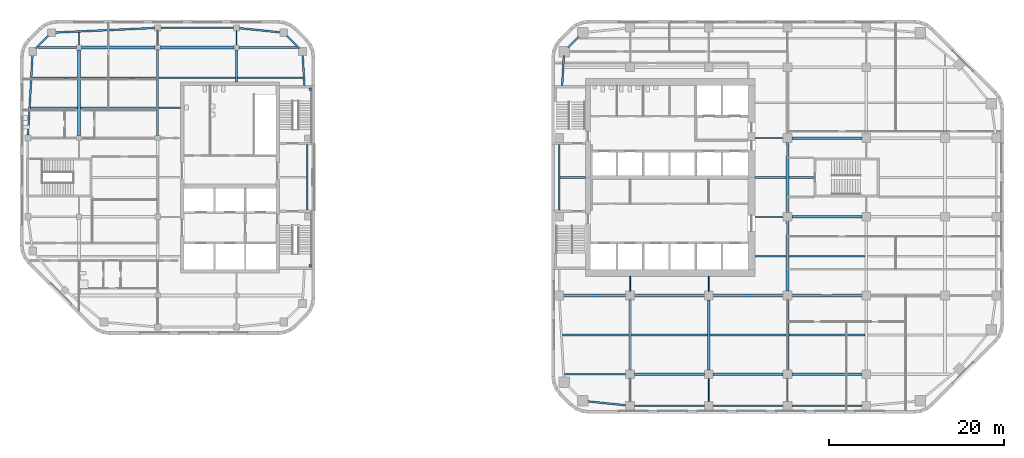
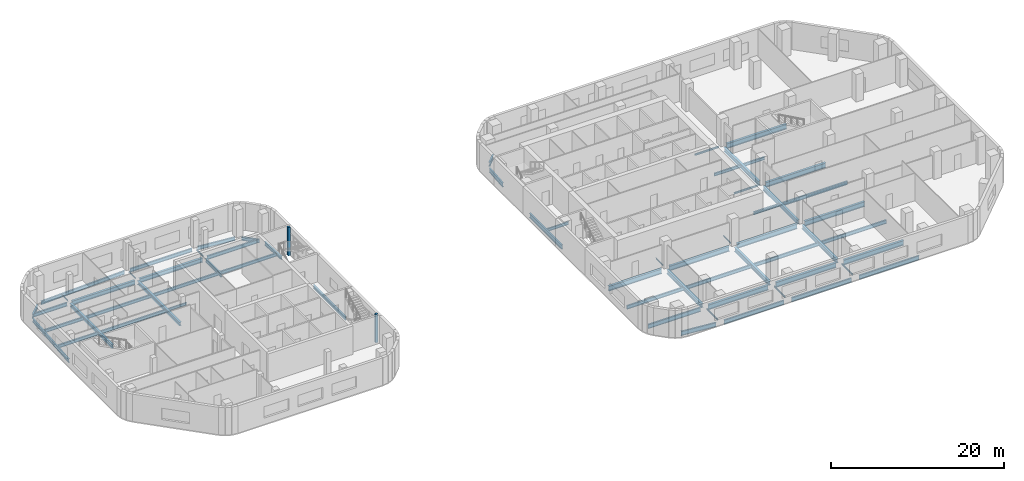
# One storey, part 2 of 14: 63 beams, 2 members.
"""IFC4 building model written with IfcOpenShell, lengths in metres."""

from ifc_helpers import new_model, si_unit, direction, frame, origin, origin_2d, place, context, subcontext, project, spatial, rectangle, i_section, extrude, material, material_profile, profile_set, type_object, element, save


model = new_model("IFC4")

# Units and contexts
model_context = context("Model", 3, precision=1e-05, world=origin(), true_north=direction((0.0, 1.0)))
body_context = subcontext(model_context, "Body", "Model", "MODEL_VIEW")
ifc_project = project(units=[si_unit("LENGTHUNIT", "METRE"), si_unit("AREAUNIT", "SQUARE_METRE"), si_unit("VOLUMEUNIT", "CUBIC_METRE"), si_unit("PLANEANGLEUNIT", "RADIAN"), si_unit("MASSUNIT", "GRAM", prefix="KILO")], contexts=[model_context])

# Site, building, storey
site_placement = place(None, origin())
site = spatial("IfcSite", under=ifc_project, at=site_placement, CompositionType="ELEMENT")
building_placement = place(site_placement, origin())
building = spatial("IfcBuilding", under=site, at=building_placement, Name="Cinnabar Reach Civic Tower", CompositionType="ELEMENT")
storey_placement = place(building_placement, frame((0.0, 0.0, 116.0)))
storey = spatial("IfcBuildingStorey", under=building, at=storey_placement, Name="L27", CompositionType="ELEMENT", Elevation=116.0)

# Beams
ifc_material_1 = material(Name="Steel Q355B", Category="steel")
ifc_material_profile_1 = material_profile(ifc_material_1, i_section(OverallWidth=0.3, OverallDepth=0.488, WebThickness=0.011, FlangeThickness=0.018, FilletRadius=0.016, at=origin_2d()), Name="HM488x300x11x18")
ifc_profile_set_1 = profile_set([ifc_material_profile_1], Name="Steel Q355B")
beam_type_1 = type_object("IfcBeamType", Name="HM488x300x11x18 beam R 120", PredefinedType="BEAM", material=ifc_profile_set_1)
for number, where, z_axis, x_axis, name in (
    (1, (-54.0, 36.302, -0.394), (0.0, 1.0, 0.0), (-1.0, 0.0, 0.0), "Girder T2 L27 4"),
    (2, (-45.0, 36.302, -0.394), (0.0, 1.0, 0.0), (-1.0, 0.0, 0.0), "Girder T2 L27 9"),
):
    element("IfcBeam", number, at=place(storey_placement, frame(where, z_axis=z_axis, x_axis=x_axis)), inside=storey, type_object=beam_type_1, Name=name, PredefinedType="BEAM", context=body_context, shape_type="SweptSolid", body=[
        extrude(i_section(OverallWidth=0.3, OverallDepth=0.488, WebThickness=0.011, FlangeThickness=0.018, FilletRadius=0.016, at=origin_2d()), origin(), (0.0, 0.0, 1.0), 9.746),
    ])
ifc_material_profile_2 = material_profile(ifc_material_1, i_section(OverallWidth=0.3, OverallDepth=0.588, WebThickness=0.012, FlangeThickness=0.02, FilletRadius=0.016, at=origin_2d()), Name="HM588x300x12x20")
ifc_profile_set_2 = profile_set([ifc_material_profile_2], Name="Steel Q355B")
beam_type_2 = type_object("IfcBeamType", Name="HM588x300x12x20 beam R 120", PredefinedType="BEAM", material=ifc_profile_set_2)
for number, where, z_axis, x_axis, name in (
    (3, (-53.698, 46.35, -0.444), (1.0, 0.0, 0.0), (0.0, 1.0, 0.0), "Girder T2 L27 11"),
    (4, (-44.698, 46.35, -0.444), (1.0, 0.0, 0.0), (0.0, 1.0, 0.0), "Girder T2 L27 12"),
):
    element("IfcBeam", number, at=place(storey_placement, frame(where, z_axis=z_axis, x_axis=x_axis)), inside=storey, type_object=beam_type_2, Name=name, PredefinedType="BEAM", context=body_context, shape_type="SweptSolid", body=[
        extrude(i_section(OverallWidth=0.3, OverallDepth=0.588, WebThickness=0.012, FlangeThickness=0.02, FilletRadius=0.016, at=origin_2d()), origin(), (0.0, 0.0, 1.0), 8.396),
    ])
ifc_material_profile_3 = material_profile(ifc_material_1, i_section(OverallWidth=0.302, OverallDepth=0.594, WebThickness=0.014, FlangeThickness=0.023, FilletRadius=0.016, at=origin_2d()), Name="HM594x302x14x23")
ifc_profile_set_3 = profile_set([ifc_material_profile_3], Name="Steel Q355B")
beam_type_3 = type_object("IfcBeamType", Name="HM594x302x14x23 beam R 180", PredefinedType="BEAM", material=ifc_profile_set_3)
for number, where, z_axis, x_axis, name in (
    (5, (9.0, 9.502, -0.447), (0.0, 1.0, 0.0), (-1.0, 0.0, 0.0), "Girder T1 L27 2"),
    (6, (18.0, 9.502, -0.447), (0.0, 1.0, 0.0), (-1.0, 0.0, 0.0), "Girder T1 L27 6"),
    (7, (27.0, 9.502, -0.447), (0.0, 1.0, 0.0), (-1.0, 0.0, 0.0), "Girder T1 L27 10"),
    (8, (27.0, 18.502, -0.447), (0.0, 1.0, 0.0), (-1.0, 0.0, 0.0), "Girder T1 L27 11"),
    (9, (27.0, 27.502, -0.447), (0.0, 1.0, 0.0), (-1.0, 0.0, 0.0), "Girder T1 L27 12"),
):
    element("IfcBeam", number, at=place(storey_placement, frame(where, z_axis=z_axis, x_axis=x_axis)), inside=storey, type_object=beam_type_3, Name=name, PredefinedType="BEAM", context=body_context, shape_type="SweptSolid", body=[
        extrude(i_section(OverallWidth=0.302, OverallDepth=0.594, WebThickness=0.014, FlangeThickness=0.023, FilletRadius=0.016, at=origin_2d()), origin(), (0.0, 0.0, 1.0), 7.996),
    ])
ifc_material_profile_4 = material_profile(ifc_material_1, i_section(OverallWidth=0.099, OverallDepth=0.198, WebThickness=0.0045, FlangeThickness=0.007, FilletRadius=0.013, at=origin_2d()), Name="HN200x100x5.5x8")
ifc_profile_set_4 = profile_set([ifc_material_profile_4], Name="Steel Q355B")
beam_type_4 = type_object("IfcBeamType", Name="HN200x100x5.5x8 beam R 120", PredefinedType="BEAM", material=ifc_profile_set_4)
beam_1_placement = place(storey_placement, frame((-54.0, 46.652, -0.249), z_axis=(0.0, 1.0, 0.0), x_axis=(-1.0, 0.0, 0.0)))
element("IfcBeam", 10, at=beam_1_placement, inside=storey, type_object=beam_type_4, Name="Girder T2 L27 5", PredefinedType="BEAM", context=body_context, shape_type="SweptSolid", body=[
    extrude(i_section(OverallWidth=0.099, OverallDepth=0.198, WebThickness=0.0045, FlangeThickness=0.007, FilletRadius=0.013, at=origin_2d()), origin(), (0.0, 0.0, 1.0), 1.4361),
])
for number, where, z_axis, x_axis, name in (
    (11, (-45.0, 46.652, -0.249), (0.0, 1.0, 0.0), (-1.0, 0.0, 0.0), "Girder T2 L27 10"),
    (12, (-36.0, 46.652, -0.249), (0.0, 1.0, 0.0), (-1.0, 0.0, 0.0), "Girder T2 L27 14"),
):
    element("IfcBeam", number, at=place(storey_placement, frame(where, z_axis=z_axis, x_axis=x_axis)), inside=storey, type_object=beam_type_4, Name=name, PredefinedType="BEAM", context=body_context, shape_type="SweptSolid", body=[
        extrude(i_section(OverallWidth=0.099, OverallDepth=0.198, WebThickness=0.0045, FlangeThickness=0.007, FilletRadius=0.013, at=origin_2d()), origin(), (0.0, 0.0, 1.0), 1.596),
    ])
ifc_material_profile_5 = material_profile(ifc_material_1, i_section(OverallWidth=0.099, OverallDepth=0.198, WebThickness=0.0045, FlangeThickness=0.007, FilletRadius=0.013, at=origin_2d()), Name="HN200x100x5.5x8")
ifc_profile_set_5 = profile_set([ifc_material_profile_5], Name="Steel Q355B")
beam_type_5 = type_object("IfcBeamType", Name="HN200x100x5.5x8 beam R 180", PredefinedType="BEAM", material=ifc_profile_set_5)
beam_2_placement = place(storey_placement, frame((9.0, 5.902, -0.249), z_axis=(0.0, 1.0, 0.0), x_axis=(-1.0, 0.0, 0.0)))
element("IfcBeam", 13, at=beam_2_placement, inside=storey, type_object=beam_type_5, Name="Girder T1 L27 1", PredefinedType="BEAM", context=body_context, shape_type="SweptSolid", body=[
    extrude(i_section(OverallWidth=0.099, OverallDepth=0.198, WebThickness=0.0045, FlangeThickness=0.007, FilletRadius=0.013, at=origin_2d()), origin(), (0.0, 0.0, 1.0), 2.596),
])
beam_3_placement = place(storey_placement, frame((9.0, 18.502, -0.249), z_axis=(0.0, 1.0, 0.0), x_axis=(-1.0, 0.0, 0.0)))
element("IfcBeam", 14, at=beam_3_placement, inside=storey, type_object=beam_type_5, Name="Girder T1 L27 3", PredefinedType="BEAM", context=body_context, shape_type="SweptSolid", body=[
    extrude(i_section(OverallWidth=0.099, OverallDepth=0.198, WebThickness=0.0045, FlangeThickness=0.007, FilletRadius=0.013, at=origin_2d()), origin(), (0.0, 0.0, 1.0), 1.696),
])
beam_4_placement = place(storey_placement, frame((18.0, 5.902, -0.249), z_axis=(0.0, 1.0, 0.0), x_axis=(-1.0, 0.0, 0.0)))
element("IfcBeam", 15, at=beam_4_placement, inside=storey, type_object=beam_type_5, Name="Girder T1 L27 5", PredefinedType="BEAM", context=body_context, shape_type="SweptSolid", body=[
    extrude(i_section(OverallWidth=0.099, OverallDepth=0.198, WebThickness=0.0045, FlangeThickness=0.007, FilletRadius=0.013, at=origin_2d()), origin(), (0.0, 0.0, 1.0), 2.596),
])
beam_5_placement = place(storey_placement, frame((18.0, 18.502, -0.249), z_axis=(0.0, 1.0, 0.0), x_axis=(-1.0, 0.0, 0.0)))
element("IfcBeam", 16, at=beam_5_placement, inside=storey, type_object=beam_type_5, Name="Girder T1 L27 7", PredefinedType="BEAM", context=body_context, shape_type="SweptSolid", body=[
    extrude(i_section(OverallWidth=0.099, OverallDepth=0.198, WebThickness=0.0045, FlangeThickness=0.007, FilletRadius=0.013, at=origin_2d()), origin(), (0.0, 0.0, 1.0), 1.696),
])
beam_6_placement = place(storey_placement, frame((27.0, 5.902, -0.249), z_axis=(0.0, 1.0, 0.0), x_axis=(-1.0, 0.0, 0.0)))
element("IfcBeam", 17, at=beam_6_placement, inside=storey, type_object=beam_type_5, Name="Girder T1 L27 9", PredefinedType="BEAM", context=body_context, shape_type="SweptSolid", body=[
    extrude(i_section(OverallWidth=0.099, OverallDepth=0.198, WebThickness=0.0045, FlangeThickness=0.007, FilletRadius=0.013, at=origin_2d()), origin(), (0.0, 0.0, 1.0), 2.596),
])
ifc_material_profile_6 = material_profile(ifc_material_1, i_section(OverallWidth=0.124, OverallDepth=0.248, WebThickness=0.005, FlangeThickness=0.008, FilletRadius=0.013, at=origin_2d()), Name="HN250x125x6x9")
ifc_profile_set_6 = profile_set([ifc_material_profile_6], Name="Steel Q355B")
beam_type_6 = type_object("IfcBeamType", Name="HN250x125x6x9 beam R 180", PredefinedType="BEAM", material=ifc_profile_set_6)
for number, where, z_axis, x_axis, name in (
    (18, (23.302, 27.0, -0.274), (1.0, 0.0, 0.0), (0.0, 1.0, 0.0), "Girder T1 L27 12"),
    (19, (23.302, 36.0, -0.274), (1.0, 0.0, 0.0), (0.0, 1.0, 0.0), "Girder T1 L27 16"),
):
    element("IfcBeam", number, at=place(storey_placement, frame(where, z_axis=z_axis, x_axis=x_axis)), inside=storey, type_object=beam_type_6, Name=name, PredefinedType="BEAM", context=body_context, shape_type="SweptSolid", body=[
        extrude(i_section(OverallWidth=0.124, OverallDepth=0.248, WebThickness=0.005, FlangeThickness=0.008, FilletRadius=0.013, at=origin_2d()), origin(), (0.0, 0.0, 1.0), 3.196),
    ])
ifc_material_profile_7 = material_profile(ifc_material_1, i_section(OverallWidth=0.175, OverallDepth=0.35, WebThickness=0.007, FlangeThickness=0.011, FilletRadius=0.013, at=origin_2d()), Name="HN350x175x7x11")
ifc_profile_set_7 = profile_set([ifc_material_profile_7], Name="Steel Q355B")
beam_type_7 = type_object("IfcBeamType", Name="HN350x175x7x11 beam R 120", PredefinedType="BEAM", material=ifc_profile_set_7)
beam_7_placement = place(storey_placement, frame((-44.848, 39.45, -0.325), z_axis=(1.0, 0.0, 0.0), x_axis=(0.0, 1.0, 0.0)))
element("IfcBeam", 20, at=beam_7_placement, inside=storey, type_object=beam_type_7, Name="Secondary beam T2 L27 9", PredefinedType="BEAM", context=body_context, shape_type="SweptSolid", body=[
    extrude(i_section(OverallWidth=0.175, OverallDepth=0.35, WebThickness=0.007, FlangeThickness=0.011, FilletRadius=0.013, at=origin_2d()), origin(), (0.0, 0.0, 1.0), 2.446),
])
ifc_material_profile_8 = material_profile(ifc_material_1, i_section(OverallWidth=0.199, OverallDepth=0.396, WebThickness=0.007, FlangeThickness=0.011, FilletRadius=0.013, at=origin_2d()), Name="HN396x199x7x11")
ifc_profile_set_8 = profile_set([ifc_material_profile_8], Name="Steel Q355B")
beam_type_8 = type_object("IfcBeamType", Name="HN396x199x7x11 beam R 180", PredefinedType="BEAM", material=ifc_profile_set_8)
beam_8_placement = place(storey_placement, frame((23.302, 22.5, -0.348), z_axis=(1.0, 0.0, 0.0), x_axis=(0.0, 1.0, 0.0)))
element("IfcBeam", 21, at=beam_8_placement, inside=storey, type_object=beam_type_8, Name="Secondary beam T1 L27 7", PredefinedType="BEAM", context=body_context, shape_type="SweptSolid", body=[
    extrude(i_section(OverallWidth=0.199, OverallDepth=0.396, WebThickness=0.007, FlangeThickness=0.011, FilletRadius=0.013, at=origin_2d()), origin(), (0.0, 0.0, 1.0), 3.545),
])
beam_9_placement = place(storey_placement, frame((1.002, 31.5, -0.348), z_axis=(1.0, 0.0, 0.0), x_axis=(0.0, 1.0, 0.0)))
element("IfcBeam", 22, at=beam_9_placement, inside=storey, type_object=beam_type_8, Name="Secondary beam T1 L27 11", PredefinedType="BEAM", context=body_context, shape_type="SweptSolid", body=[
    extrude(i_section(OverallWidth=0.199, OverallDepth=0.396, WebThickness=0.007, FlangeThickness=0.011, FilletRadius=0.013, at=origin_2d()), origin(), (0.0, 0.0, 1.0), 2.896),
])
beam_10_placement = place(storey_placement, frame((23.302, 31.5, -0.348), z_axis=(1.0, 0.0, 0.0), x_axis=(0.0, 1.0, 0.0)))
element("IfcBeam", 23, at=beam_10_placement, inside=storey, type_object=beam_type_8, Name="Secondary beam T1 L27 12", PredefinedType="BEAM", context=body_context, shape_type="SweptSolid", body=[
    extrude(i_section(OverallWidth=0.199, OverallDepth=0.396, WebThickness=0.007, FlangeThickness=0.011, FilletRadius=0.013, at=origin_2d()), origin(), (0.0, 0.0, 1.0), 3.545),
])
beam_11_placement = place(storey_placement, frame((27.153, 31.5, -0.348), z_axis=(1.0, 0.0, 0.0), x_axis=(0.0, 1.0, 0.0)))
element("IfcBeam", 24, at=beam_11_placement, inside=storey, type_object=beam_type_8, Name="Secondary beam T1 L27 13", PredefinedType="BEAM", context=body_context, shape_type="SweptSolid", body=[
    extrude(i_section(OverallWidth=0.199, OverallDepth=0.396, WebThickness=0.007, FlangeThickness=0.011, FilletRadius=0.013, at=origin_2d()), origin(), (0.0, 0.0, 1.0), 2.845),
])
ifc_material_profile_9 = material_profile(ifc_material_1, i_section(OverallWidth=0.2, OverallDepth=0.45, WebThickness=0.009, FlangeThickness=0.014, FilletRadius=0.016, at=origin_2d()), Name="HN450x200x9x14")
ifc_profile_set_9 = profile_set([ifc_material_profile_9], Name="Steel Q355B")
beam_type_9 = type_object("IfcBeamType", Name="HN450x200x9x14 beam R 120", PredefinedType="BEAM", material=ifc_profile_set_9)
beam_12_placement = place(storey_placement, frame((-59.5551, 39.45, -0.375), z_axis=(1.0, 0.0, 0.0), x_axis=(0.0, 1.0, 0.0)))
element("IfcBeam", 25, at=beam_12_placement, inside=storey, type_object=beam_type_9, Name="Secondary beam T2 L27 7", PredefinedType="BEAM", context=body_context, shape_type="SweptSolid", body=[
    extrude(i_section(OverallWidth=0.2, OverallDepth=0.45, WebThickness=0.009, FlangeThickness=0.014, FilletRadius=0.016, at=origin_2d()), origin(), (0.0, 0.0, 1.0), 5.4031),
])
beam_13_placement = place(storey_placement, frame((-53.848, 39.45, -0.375), z_axis=(1.0, 0.0, 0.0), x_axis=(0.0, 1.0, 0.0)))
element("IfcBeam", 26, at=beam_13_placement, inside=storey, type_object=beam_type_9, Name="Secondary beam T2 L27 8", PredefinedType="BEAM", context=body_context, shape_type="SweptSolid", body=[
    extrude(i_section(OverallWidth=0.2, OverallDepth=0.45, WebThickness=0.009, FlangeThickness=0.014, FilletRadius=0.016, at=origin_2d()), origin(), (0.0, 0.0, 1.0), 8.696),
])
beam_14_placement = place(storey_placement, frame((-59.3623, 42.9, -0.375), z_axis=(1.0, 0.0, 0.0), x_axis=(0.0, 1.0, 0.0)))
element("IfcBeam", 27, at=beam_14_placement, inside=storey, type_object=beam_type_9, Name="Secondary beam T2 L27 10", PredefinedType="BEAM", context=body_context, shape_type="SweptSolid", body=[
    extrude(i_section(OverallWidth=0.2, OverallDepth=0.45, WebThickness=0.009, FlangeThickness=0.014, FilletRadius=0.016, at=origin_2d()), origin(), (0.0, 0.0, 1.0), 5.2103),
])
beam_15_placement = place(storey_placement, frame((-53.848, 42.9, -0.375), z_axis=(1.0, 0.0, 0.0), x_axis=(0.0, 1.0, 0.0)))
element("IfcBeam", 28, at=beam_15_placement, inside=storey, type_object=beam_type_9, Name="Secondary beam T2 L27 11", PredefinedType="BEAM", context=body_context, shape_type="SweptSolid", body=[
    extrude(i_section(OverallWidth=0.2, OverallDepth=0.45, WebThickness=0.009, FlangeThickness=0.014, FilletRadius=0.016, at=origin_2d()), origin(), (0.0, 0.0, 1.0), 8.696),
])
beam_16_placement = place(storey_placement, frame((-44.848, 42.9, -0.375), z_axis=(1.0, 0.0, 0.0), x_axis=(0.0, 1.0, 0.0)))
element("IfcBeam", 29, at=beam_16_placement, inside=storey, type_object=beam_type_9, Name="Secondary beam T2 L27 12", PredefinedType="BEAM", context=body_context, shape_type="SweptSolid", body=[
    extrude(i_section(OverallWidth=0.2, OverallDepth=0.45, WebThickness=0.009, FlangeThickness=0.014, FilletRadius=0.016, at=origin_2d()), origin(), (0.0, 0.0, 1.0), 8.746),
])
beam_17_placement = place(storey_placement, frame((-35.898, 42.9, -0.375), z_axis=(1.0, 0.0, 0.0), x_axis=(0.0, 1.0, 0.0)))
element("IfcBeam", 30, at=beam_17_placement, inside=storey, type_object=beam_type_9, Name="Secondary beam T2 L27 13", PredefinedType="BEAM", context=body_context, shape_type="SweptSolid", body=[
    extrude(i_section(OverallWidth=0.2, OverallDepth=0.45, WebThickness=0.009, FlangeThickness=0.014, FilletRadius=0.016, at=origin_2d()), origin(), (0.0, 0.0, 1.0), 7.5103),
])
ifc_material_profile_10 = material_profile(ifc_material_1, i_section(OverallWidth=0.199, OverallDepth=0.496, WebThickness=0.009, FlangeThickness=0.014, FilletRadius=0.016, at=origin_2d()), Name="HN496x199x9x14")
ifc_profile_set_10 = profile_set([ifc_material_profile_10], Name="Steel Q355B")
beam_type_10 = type_object("IfcBeamType", Name="HN496x199x9x14 beam R 180", PredefinedType="BEAM", material=ifc_profile_set_10)
beam_18_placement = place(storey_placement, frame((1.2536, 13.5, -0.398), z_axis=(1.0, 0.0, 0.0), x_axis=(0.0, 1.0, 0.0)))
element("IfcBeam", 31, at=beam_18_placement, inside=storey, type_object=beam_type_10, Name="Secondary beam T1 L27 1", PredefinedType="BEAM", context=body_context, shape_type="SweptSolid", body=[
    extrude(i_section(OverallWidth=0.199, OverallDepth=0.496, WebThickness=0.009, FlangeThickness=0.014, FilletRadius=0.016, at=origin_2d()), origin(), (0.0, 0.0, 1.0), 7.5934),
])
for number, where, z_axis, x_axis, name in (
    (32, (9.153, 13.5, -0.398), (1.0, 0.0, 0.0), (0.0, 1.0, 0.0), "Secondary beam T1 L27 2"),
    (33, (18.153, 13.5, -0.398), (1.0, 0.0, 0.0), (0.0, 1.0, 0.0), "Secondary beam T1 L27 3"),
    (34, (27.153, 13.5, -0.398), (1.0, 0.0, 0.0), (0.0, 1.0, 0.0), "Secondary beam T1 L27 4"),
    (35, (27.153, 22.5, -0.398), (1.0, 0.0, 0.0), (0.0, 1.0, 0.0), "Secondary beam T1 L27 8"),
):
    element("IfcBeam", number, at=place(storey_placement, frame(where, z_axis=z_axis, x_axis=x_axis)), inside=storey, type_object=beam_type_10, Name=name, PredefinedType="BEAM", context=body_context, shape_type="SweptSolid", body=[
        extrude(i_section(OverallWidth=0.199, OverallDepth=0.496, WebThickness=0.009, FlangeThickness=0.014, FilletRadius=0.016, at=origin_2d()), origin(), (0.0, 0.0, 1.0), 8.694),
    ])
ifc_material_profile_11 = material_profile(ifc_material_1, i_section(OverallWidth=0.2, OverallDepth=0.5, WebThickness=0.01, FlangeThickness=0.016, FilletRadius=0.016, at=origin_2d()), Name="HN500x200x10x16")
ifc_profile_set_11 = profile_set([ifc_material_profile_11], Name="Steel Q355B")
beam_type_11 = type_object("IfcBeamType", Name="HN500x200x10x16 beam R 120", PredefinedType="BEAM", material=ifc_profile_set_11)
beam_19_placement = place(storey_placement, frame((-27.9, 27.752, -0.4), z_axis=(0.0, 1.0, 0.0), x_axis=(-1.0, 0.0, 0.0)))
element("IfcBeam", 36, at=beam_19_placement, inside=storey, type_object=beam_type_11, Name="Edge beam T2 L27 6", PredefinedType="BEAM", context=body_context, shape_type="SweptSolid", body=[
    extrude(i_section(OverallWidth=0.2, OverallDepth=0.5, WebThickness=0.01, FlangeThickness=0.016, FilletRadius=0.016, at=origin_2d()), origin(), (0.0, 0.0, 1.0), 7.496),
])
beam_20_placement = place(storey_placement, frame((-28.2354, 42.002, -0.4), z_axis=(-0.055775670196, 0.99844332569, 0.0), x_axis=(-0.99844332569, -0.055775670196, 0.0)))
element("IfcBeam", 37, at=beam_20_placement, inside=storey, type_object=beam_type_11, Name="Edge beam T2 L27 7", PredefinedType="BEAM", context=body_context, shape_type="SweptSolid", body=[
    extrude(i_section(OverallWidth=0.2, OverallDepth=0.5, WebThickness=0.01, FlangeThickness=0.016, FilletRadius=0.016, at=origin_2d()), origin(), (0.0, 0.0, 1.0), 3.5697),
])
beam_21_placement = place(storey_placement, frame((-28.7851, 46.2301, -0.4), z_axis=(-0.707106781187, 0.707106781187, 0.0), x_axis=(-0.707106781187, -0.707106781187, 0.0)))
element("IfcBeam", 38, at=beam_21_placement, inside=storey, type_object=beam_type_11, Name="Edge beam T2 L27 8", PredefinedType="BEAM", context=body_context, shape_type="SweptSolid", body=[
    extrude(i_section(OverallWidth=0.2, OverallDepth=0.5, WebThickness=0.01, FlangeThickness=0.016, FilletRadius=0.016, at=origin_2d()), origin(), (0.0, 0.0, 1.0), 2.0998),
])
beam_22_placement = place(storey_placement, frame((-30.9339, 48.0809, -0.4), z_axis=(-0.994792087401, 0.101924986363, 0.0), x_axis=(-0.101924986363, -0.994792087401, 0.0)))
element("IfcBeam", 39, at=beam_22_placement, inside=storey, type_object=beam_type_11, Name="Edge beam T2 L27 9", PredefinedType="BEAM", context=body_context, shape_type="SweptSolid", body=[
    extrude(i_section(OverallWidth=0.2, OverallDepth=0.5, WebThickness=0.01, FlangeThickness=0.016, FilletRadius=0.016, at=origin_2d()), origin(), (0.0, 0.0, 1.0), 4.7388),
])
beam_23_placement = place(storey_placement, frame((-36.352, 48.6, -0.4), z_axis=(-1.0, 0.0, 0.0), x_axis=(0.0, -1.0, 0.0)))
element("IfcBeam", 40, at=beam_23_placement, inside=storey, type_object=beam_type_11, Name="Edge beam T2 L27 10", PredefinedType="BEAM", context=body_context, shape_type="SweptSolid", body=[
    extrude(i_section(OverallWidth=0.2, OverallDepth=0.5, WebThickness=0.01, FlangeThickness=0.016, FilletRadius=0.016, at=origin_2d()), origin(), (0.0, 0.0, 1.0), 8.296),
])
beam_24_placement = place(storey_placement, frame((-45.352, 48.584, -0.4), z_axis=(-0.998964961738, -0.045486319033, 0.0), x_axis=(0.045486319033, -0.998964961738, 0.0)))
element("IfcBeam", 41, at=beam_24_placement, inside=storey, type_object=beam_type_11, Name="Edge beam T2 L27 11", PredefinedType="BEAM", context=body_context, shape_type="SweptSolid", body=[
    extrude(i_section(OverallWidth=0.2, OverallDepth=0.5, WebThickness=0.01, FlangeThickness=0.016, FilletRadius=0.016, at=origin_2d()), origin(), (0.0, 0.0, 1.0), 11.476),
])
beam_25_placement = place(storey_placement, frame((-57.4801, 47.7149, -0.4), z_axis=(-0.707106781187, -0.707106781187, 0.0), x_axis=(0.707106781187, -0.707106781187, 0.0)))
element("IfcBeam", 42, at=beam_25_placement, inside=storey, type_object=beam_type_11, Name="Edge beam T2 L27 12", PredefinedType="BEAM", context=body_context, shape_type="SweptSolid", body=[
    extrude(i_section(OverallWidth=0.2, OverallDepth=0.5, WebThickness=0.01, FlangeThickness=0.016, FilletRadius=0.016, at=origin_2d()), origin(), (0.0, 0.0, 1.0), 2.0998),
])
beam_26_placement = place(storey_placement, frame((-59.3155, 45.5661, -0.4), z_axis=(-0.055783895065, -0.998442866193, 0.0), x_axis=(0.998442866193, -0.055783895065, 0.0)))
element("IfcBeam", 43, at=beam_26_placement, inside=storey, type_object=beam_type_11, Name="Edge beam T2 L27 13", PredefinedType="BEAM", context=body_context, shape_type="SweptSolid", body=[
    extrude(i_section(OverallWidth=0.2, OverallDepth=0.5, WebThickness=0.01, FlangeThickness=0.016, FilletRadius=0.016, at=origin_2d()), origin(), (0.0, 0.0, 1.0), 9.2285),
])
beam_27_placement = place(storey_placement, frame((-58.7008, 46.35, -0.4), z_axis=(1.0, 0.0, 0.0), x_axis=(0.0, 1.0, 0.0)))
element("IfcBeam", 44, at=beam_27_placement, inside=storey, type_object=beam_type_11, Name="Girder T2 L27 10", PredefinedType="BEAM", context=body_context, shape_type="SweptSolid", body=[
    extrude(i_section(OverallWidth=0.2, OverallDepth=0.5, WebThickness=0.01, FlangeThickness=0.016, FilletRadius=0.016, at=origin_2d()), origin(), (0.0, 0.0, 1.0), 4.3988),
])
beam_28_placement = place(storey_placement, frame((-35.698, 46.35, -0.4), z_axis=(1.0, 0.0, 0.0), x_axis=(0.0, 1.0, 0.0)))
element("IfcBeam", 45, at=beam_28_placement, inside=storey, type_object=beam_type_11, Name="Girder T2 L27 13", PredefinedType="BEAM", context=body_context, shape_type="SweptSolid", body=[
    extrude(i_section(OverallWidth=0.2, OverallDepth=0.5, WebThickness=0.01, FlangeThickness=0.016, FilletRadius=0.016, at=origin_2d()), origin(), (0.0, 0.0, 1.0), 6.6488),
])
beam_29_placement = place(storey_placement, frame((-36.0, 42.402, -0.4), z_axis=(0.0, 1.0, 0.0), x_axis=(-1.0, 0.0, 0.0)))
element("IfcBeam", 46, at=beam_29_placement, inside=storey, type_object=beam_type_11, Name="Girder T2 L27 13", PredefinedType="BEAM", context=body_context, shape_type="SweptSolid", body=[
    extrude(i_section(OverallWidth=0.2, OverallDepth=0.5, WebThickness=0.01, FlangeThickness=0.016, FilletRadius=0.016, at=origin_2d()), origin(), (0.0, 0.0, 1.0), 3.646),
])
ifc_material_profile_12 = material_profile(ifc_material_1, i_section(OverallWidth=0.199, OverallDepth=0.596, WebThickness=0.01, FlangeThickness=0.015, FilletRadius=0.016, at=origin_2d()), Name="HN596x199x10x15")
ifc_profile_set_12 = profile_set([ifc_material_profile_12], Name="Steel Q355B")
beam_type_12 = type_object("IfcBeamType", Name="HN596x199x10x15 beam R 180", PredefinedType="BEAM", material=ifc_profile_set_12)
beam_30_placement = place(storey_placement, frame((1.5051, 9.0, -0.448), z_axis=(1.0, 0.0, 0.0), x_axis=(0.0, 1.0, 0.0)))
element("IfcBeam", 47, at=beam_30_placement, inside=storey, type_object=beam_type_12, Name="Girder T1 L27 1", PredefinedType="BEAM", context=body_context, shape_type="SweptSolid", body=[
    extrude(i_section(OverallWidth=0.199, OverallDepth=0.596, WebThickness=0.01, FlangeThickness=0.015, FilletRadius=0.016, at=origin_2d()), origin(), (0.0, 0.0, 1.0), 6.9929),
])
ifc_material_profile_13 = material_profile(ifc_material_1, i_section(OverallWidth=0.2, OverallDepth=0.6, WebThickness=0.011, FlangeThickness=0.017, FilletRadius=0.016, at=origin_2d()), Name="HN600x200x11x17")
ifc_profile_set_13 = profile_set([ifc_material_profile_13], Name="Steel Q355B")
beam_type_13 = type_object("IfcBeamType", Name="HN600x200x11x17 beam R 180", PredefinedType="BEAM", material=ifc_profile_set_13)
beam_31_placement = place(storey_placement, frame((4.0839, 5.9037, -0.45), z_axis=(0.994791228755, -0.101933366432, 0.0), x_axis=(0.101933366432, 0.994791228755, 0.0)))
element("IfcBeam", 48, at=beam_31_placement, inside=storey, type_object=beam_type_13, Name="Edge beam T1 L27 1", PredefinedType="BEAM", context=body_context, shape_type="SweptSolid", body=[
    extrude(i_section(OverallWidth=0.2, OverallDepth=0.6, WebThickness=0.011, FlangeThickness=0.017, FilletRadius=0.016, at=origin_2d()), origin(), (0.0, 0.0, 1.0), 4.4372),
])
for number, where, z_axis, x_axis, name in (
    (49, (9.502, 5.4, -0.45), (1.0, 0.0, 0.0), (0.0, 1.0, 0.0), "Edge beam T1 L27 2"),
    (50, (18.502, 5.4, -0.45), (1.0, 0.0, 0.0), (0.0, 1.0, 0.0), "Edge beam T1 L27 3"),
    (51, (27.502, 5.4, -0.45), (1.0, 0.0, 0.0), (0.0, 1.0, 0.0), "Edge beam T1 L27 4"),
):
    element("IfcBeam", number, at=place(storey_placement, frame(where, z_axis=z_axis, x_axis=x_axis)), inside=storey, type_object=beam_type_13, Name=name, PredefinedType="BEAM", context=body_context, shape_type="SweptSolid", body=[
        extrude(i_section(OverallWidth=0.2, OverallDepth=0.6, WebThickness=0.011, FlangeThickness=0.017, FilletRadius=0.016, at=origin_2d()), origin(), (0.0, 0.0, 1.0), 7.996),
    ])
beam_32_placement = place(storey_placement, frame((3.1199, 47.5649, -0.45), z_axis=(-0.707106781187, -0.707106781187, 0.0), x_axis=(0.707106781187, -0.707106781187, 0.0)))
element("IfcBeam", 52, at=beam_32_placement, inside=storey, type_object=beam_type_13, Name="Edge beam T1 L27 19", PredefinedType="BEAM", context=body_context, shape_type="SweptSolid", body=[
    extrude(i_section(OverallWidth=0.2, OverallDepth=0.6, WebThickness=0.011, FlangeThickness=0.017, FilletRadius=0.016, at=origin_2d()), origin(), (0.0, 0.0, 1.0), 1.6756),
])
beam_33_placement = place(storey_placement, frame((1.4262, 45.4161, -0.45), z_axis=(-0.055798816608, -0.998442032401, 0.0), x_axis=(0.998442032401, -0.055798816608, 0.0)))
element("IfcBeam", 53, at=beam_33_placement, inside=storey, type_object=beam_type_13, Name="Edge beam T1 L27 20", PredefinedType="BEAM", context=body_context, shape_type="SweptSolid", body=[
    extrude(i_section(OverallWidth=0.2, OverallDepth=0.6, WebThickness=0.011, FlangeThickness=0.017, FilletRadius=0.016, at=origin_2d()), origin(), (0.0, 0.0, 1.0), 3.4194),
])
beam_34_placement = place(storey_placement, frame((0.9, 35.248, -0.45), z_axis=(0.0, -1.0, 0.0), x_axis=(1.0, 0.0, 0.0)))
element("IfcBeam", 54, at=beam_34_placement, inside=storey, type_object=beam_type_13, Name="Edge beam T1 L27 21", PredefinedType="BEAM", context=body_context, shape_type="SweptSolid", body=[
    extrude(i_section(OverallWidth=0.2, OverallDepth=0.6, WebThickness=0.011, FlangeThickness=0.017, FilletRadius=0.016, at=origin_2d()), origin(), (0.0, 0.0, 1.0), 7.496),
])
ifc_material_profile_14 = material_profile(ifc_material_1, i_section(OverallWidth=0.3, OverallDepth=0.692, WebThickness=0.013, FlangeThickness=0.02, FilletRadius=0.016, at=origin_2d()), Name="HN692x300x13x20")
ifc_profile_set_14 = profile_set([ifc_material_profile_14], Name="Steel Q355B")
beam_type_14 = type_object("IfcBeamType", Name="HN692x300x13x20 beam R 180", PredefinedType="BEAM", material=ifc_profile_set_14)
for number, where, z_axis, x_axis, name in (
    (55, (9.502, 9.0, -0.496), (1.0, 0.0, 0.0), (0.0, 1.0, 0.0), "Girder T1 L27 2"),
    (56, (18.502, 9.0, -0.496), (1.0, 0.0, 0.0), (0.0, 1.0, 0.0), "Girder T1 L27 3"),
    (57, (27.502, 9.0, -0.496), (1.0, 0.0, 0.0), (0.0, 1.0, 0.0), "Girder T1 L27 4"),
):
    element("IfcBeam", number, at=place(storey_placement, frame(where, z_axis=z_axis, x_axis=x_axis)), inside=storey, type_object=beam_type_14, Name=name, PredefinedType="BEAM", context=body_context, shape_type="SweptSolid", body=[
        extrude(i_section(OverallWidth=0.3, OverallDepth=0.692, WebThickness=0.013, FlangeThickness=0.02, FilletRadius=0.016, at=origin_2d()), origin(), (0.0, 0.0, 1.0), 7.996),
    ])
beam_35_placement = place(storey_placement, frame((1.402, 18.0, -0.496), z_axis=(1.0, 0.0, 0.0), x_axis=(0.0, 1.0, 0.0)))
element("IfcBeam", 58, at=beam_35_placement, inside=storey, type_object=beam_type_14, Name="Girder T1 L27 6", PredefinedType="BEAM", context=body_context, shape_type="SweptSolid", body=[
    extrude(i_section(OverallWidth=0.3, OverallDepth=0.692, WebThickness=0.013, FlangeThickness=0.02, FilletRadius=0.016, at=origin_2d()), origin(), (0.0, 0.0, 1.0), 7.096),
])
for number, where, z_axis, x_axis, name in (
    (59, (9.502, 18.0, -0.496), (1.0, 0.0, 0.0), (0.0, 1.0, 0.0), "Girder T1 L27 7"),
    (60, (18.502, 18.0, -0.496), (1.0, 0.0, 0.0), (0.0, 1.0, 0.0), "Girder T1 L27 8"),
    (61, (27.502, 18.0, -0.496), (1.0, 0.0, 0.0), (0.0, 1.0, 0.0), "Girder T1 L27 9"),
    (62, (27.502, 27.0, -0.496), (1.0, 0.0, 0.0), (0.0, 1.0, 0.0), "Girder T1 L27 13"),
    (63, (27.502, 36.0, -0.496), (1.0, 0.0, 0.0), (0.0, 1.0, 0.0), "Girder T1 L27 17"),
):
    element("IfcBeam", number, at=place(storey_placement, frame(where, z_axis=z_axis, x_axis=x_axis)), inside=storey, type_object=beam_type_14, Name=name, PredefinedType="BEAM", context=body_context, shape_type="SweptSolid", body=[
        extrude(i_section(OverallWidth=0.3, OverallDepth=0.692, WebThickness=0.013, FlangeThickness=0.02, FilletRadius=0.016, at=origin_2d()), origin(), (0.0, 0.0, 1.0), 7.996),
    ])

# Members
ifc_material_2 = material(Name="Concrete C40", Category="concrete")
ifc_material_profile_15 = material_profile(ifc_material_2, rectangle(XDim=0.3, YDim=0.3, at=origin_2d()), Name="C300")
ifc_profile_set_15 = profile_set([ifc_material_profile_15], Name="Concrete C40")
member_type = type_object("IfcMemberType", Name="T2 stair post 300", PredefinedType="STRUT", material=ifc_profile_set_15)
for number, where, z_axis, x_axis, name in (
    (64, (-27.55, 21.4, 0.0), (0.0, 0.0, 1.0), (1.0, 0.0, 0.0), "Stair post 1"),
    (65, (-27.55, 41.6, 0.0), (0.0, 0.0, 1.0), (1.0, 0.0, 0.0), "Stair post 2"),
):
    element("IfcMember", number, at=place(storey_placement, frame(where, z_axis=z_axis, x_axis=x_axis)), inside=storey, type_object=member_type, Name=name, PredefinedType="STRUT", context=body_context, shape_type="SweptSolid", body=[
        extrude(rectangle(XDim=0.3, YDim=0.3, at=origin_2d()), origin(), (0.0, 0.0, 1.0), 4.0),
    ])

save(model, "model.ifc")
